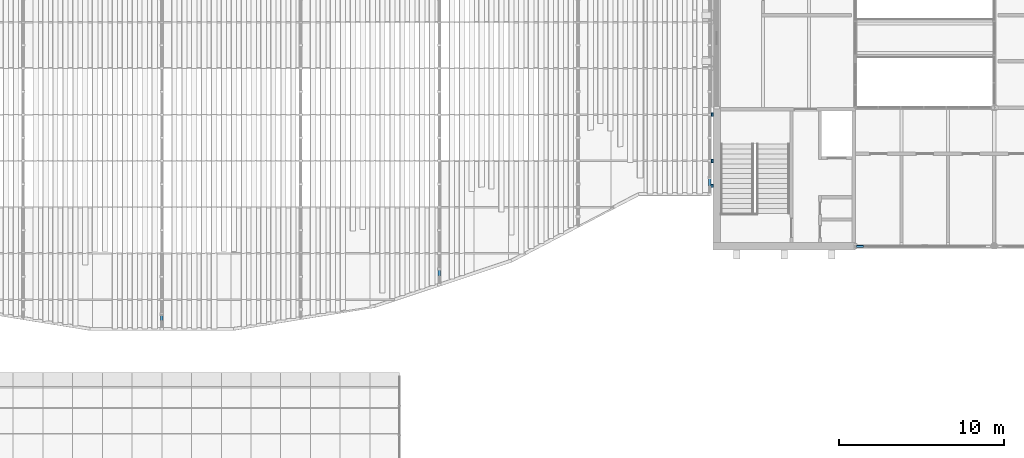
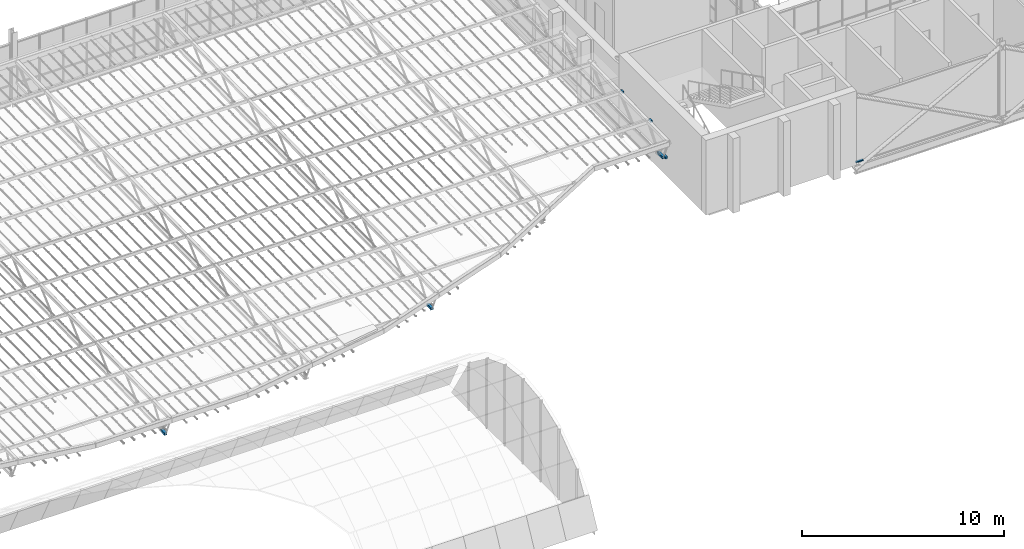
# One storey, part 61 of 129: 7 members, 1 element without a shape of its own.
"""IFC4 building model written with IfcOpenShell, lengths in metres."""

from ifc_helpers import new_model, si_unit, direction, frame, origin, origin_2d, place, context, subcontext, project, spatial, rectangle, hollow_rectangle, extrude, material, layer, layer_set, material_profile, profile_set, type_object, element, aggregate, save


model = new_model("IFC4")

# Units and contexts
model_context = context("Model", 3, precision=1e-05, world=origin(), true_north=direction((0.0, 1.0)))
body_context = subcontext(model_context, "Body", "Model", "MODEL_VIEW")
ifc_project = project(units=[si_unit("LENGTHUNIT", "METRE"), si_unit("AREAUNIT", "SQUARE_METRE"), si_unit("VOLUMEUNIT", "CUBIC_METRE"), si_unit("PLANEANGLEUNIT", "RADIAN"), si_unit("MASSUNIT", "GRAM", prefix="KILO")], contexts=[model_context])

# Site, building, storey
site_placement = place(None, origin())
site = spatial("IfcSite", under=ifc_project, at=site_placement, CompositionType="ELEMENT")
building_placement = place(site_placement, origin())
building = spatial("IfcBuilding", under=site, at=building_placement, Name="Ardhachandra Cancer Care Centre", CompositionType="ELEMENT")
storey_placement = place(building_placement, frame((0.0, 0.0, 4.5)))
storey = spatial("IfcBuildingStorey", under=building, at=storey_placement, Name="L01", CompositionType="ELEMENT", Elevation=4.5)

# Members
ifc_material_1 = material(Name="Steel E350 (IS 2062)", Category="steel")
ifc_material_profile_1 = material_profile(ifc_material_1, hollow_rectangle(XDim=0.14990234375, YDim=0.14990234375, WallThickness=0.006103515625, InnerFilletRadius=0.006103515625, OuterFilletRadius=0.011962890625, at=origin_2d()), Name="SHS 150x150x6.0")
ifc_profile_set_1 = profile_set([ifc_material_profile_1], Name="Steel E350 (IS 2062)")
member_type_1 = type_object("IfcMemberType", Name="Canopy truss bottom chord SHS 150x150x6.0", PredefinedType="CHORD", material=ifc_profile_set_1)
member_1_placement = place(storey_placement, frame((78.0, 25.285888671875, 1.040771484375), z_axis=(0.0, -0.999792348359, -0.020377933215), x_axis=(1.0, 0.0, 0.0)))
element("IfcMember", 1, at=member_1_placement, inside=storey, type_object=member_type_1, Name="Canopy truss 5 bottom chord BC23", PredefinedType="CHORD", context=body_context, shape_type="SweptSolid", body=[
    extrude(hollow_rectangle(XDim=0.14990234375, YDim=0.14990234375, WallThickness=0.006103515625, InnerFilletRadius=0.006103515625, OuterFilletRadius=0.011962890625, at=origin_2d()), origin(), (0.0, 0.0, 1.0), 0.38330078125),
])
member_2_placement = place(storey_placement, frame((94.800048828125, 28.025634765625, 1.095458984375), z_axis=(0.0, -0.999800997284, -0.019949080932), x_axis=(1.0, 0.0, 0.0)))
element("IfcMember", 2, at=member_2_placement, inside=storey, type_object=member_type_1, Name="Canopy truss 7 bottom chord BC21", PredefinedType="CHORD", context=body_context, shape_type="SweptSolid", body=[
    extrude(hollow_rectangle(XDim=0.14990234375, YDim=0.14990234375, WallThickness=0.006103515625, InnerFilletRadius=0.006103515625, OuterFilletRadius=0.011962890625, at=origin_2d()), origin(), (0.0, 0.0, 1.0), 0.416015625),
])
member_3_placement = place(storey_placement, frame((111.18505859375, 33.566162109375, 1.206298828125), z_axis=(0.0, -0.999799081378, -0.020044871558), x_axis=(1.0, 0.0, 0.0)))
element("IfcMember", 3, at=member_3_placement, inside=storey, type_object=member_type_1, Name="Canopy truss 9 bottom chord BC17", PredefinedType="CHORD", context=body_context, shape_type="SweptSolid", body=[
    extrude(hollow_rectangle(XDim=0.14990234375, YDim=0.14990234375, WallThickness=0.006103515625, InnerFilletRadius=0.006103515625, OuterFilletRadius=0.011962890625, at=origin_2d()), origin(), (0.0, 0.0, 1.0), 0.499267578125),
])

# Curtain wall, member
ifc_material_2 = material(Name="Aluminium extrusion", Category="aluminium")
ifc_layer = layer(ifc_material_2, 0.14990234375)
ifc_layer_set = layer_set([ifc_layer], Name="Aluminium extrusion")
curtain_wall_type = type_object("IfcCurtainWallType", Name="Curtain wall run", PredefinedType="NOTDEFINED", material=ifc_layer_set)
curtain_wall_placement = place(storey_placement, origin())
curtain_wall = element("IfcCurtainWall", 4, at=curtain_wall_placement, inside=storey, type_object=curtain_wall_type, Name="Curtain wall L01 s/0120000_0029400", PredefinedType="NOTDEFINED")
ifc_material_3 = material(Name="Aluminium extrusion", Category="aluminium")
ifc_material_profile_2 = material_profile(ifc_material_3, rectangle(XDim=0.1201171875, YDim=0.06005859375, at=origin_2d()), Name="Curtain wall transom 60 x 120")
ifc_profile_set_2 = profile_set([ifc_material_profile_2], Name="Aluminium extrusion")
member_type_2 = type_object("IfcMemberType", Name="Curtain wall transom 60 x 120", PredefinedType="USERDEFINED", material=ifc_profile_set_2)
member_4_placement = place(storey_placement, frame((120.06005859375, 29.39990234375, 0.030029296875), z_axis=(1.0, 0.0, 0.0), x_axis=(0.0, 1.0, 0.0)))
member_4 = element("IfcMember", 5, at=member_4_placement, type_object=member_type_2, Name="CW transom 1.1", ObjectType="TRANSOM", PredefinedType="USERDEFINED", context=body_context, shape_type="SweptSolid", body=[
    extrude(rectangle(XDim=0.1201171875, YDim=0.06005859375, at=origin_2d()), origin(), (0.0, 0.0, 1.0), 0.423095703125),
])
aggregate(curtain_wall, [member_4])

# Members
ifc_material_4 = material(Name="Steel E350 (IS 2062)", Category="steel")
ifc_material_profile_3 = material_profile(ifc_material_4, rectangle(XDim=0.199951171875, YDim=0.1201171875, at=origin_2d()), Name="PL 200x120")
ifc_profile_set_3 = profile_set([ifc_material_profile_3], Name="Steel E350 (IS 2062)")
member_type_3 = type_object("IfcMemberType", Name="Truss bearing bracket 200x120", PredefinedType="USERDEFINED", material=ifc_profile_set_3)
for number, where, z_axis, x_axis, name in (
    (6, (111.27490234375, 37.375, 2.517578125), (1.0, 0.0, 0.0), (0.0, 1.0, 0.0), "Truss bearing bracket 13"),
    (7, (111.27490234375, 34.574951171875, 2.46142578125), (1.0, 0.0, 0.0), (0.0, 1.0, 0.0), "Truss bearing bracket 14"),
):
    element("IfcMember", number, at=place(storey_placement, frame(where, z_axis=z_axis, x_axis=x_axis)), inside=storey, type_object=member_type_3, Name=name, ObjectType="BRACKET", PredefinedType="USERDEFINED", context=body_context, shape_type="SweptSolid", body=[
        extrude(rectangle(XDim=0.199951171875, YDim=0.1201171875, at=origin_2d()), origin(), (0.0, 0.0, 1.0), 0.10009765625),
    ])
member_5_placement = place(storey_placement, frame((111.260009765625, 33.06689453125, 1.181396484375), z_axis=(1.0, 0.0, 0.0), x_axis=(0.0, 1.0, 0.0)))
element("IfcMember", 8, at=member_5_placement, inside=storey, type_object=member_type_3, Name="Truss seat bracket 3", ObjectType="BRACKET", PredefinedType="USERDEFINED", context=body_context, shape_type="SweptSolid", body=[
    extrude(rectangle(XDim=0.199951171875, YDim=0.1201171875, at=origin_2d()), origin(), (0.0, 0.0, 1.0), 0.114990234375),
])

save(model, "model.ifc")
